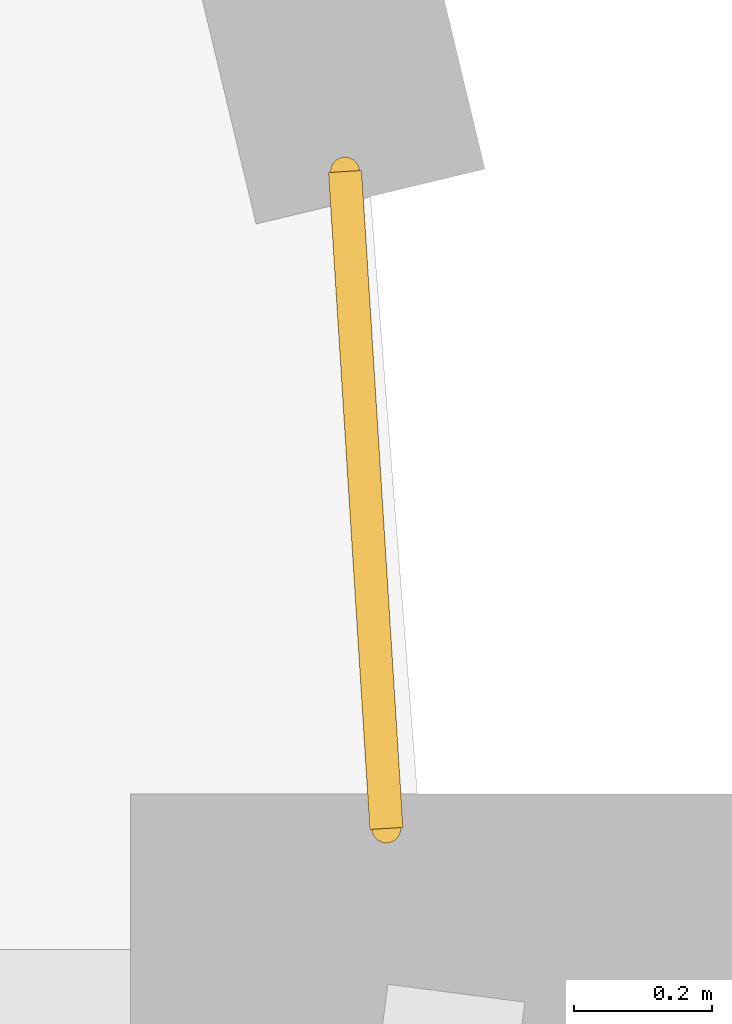
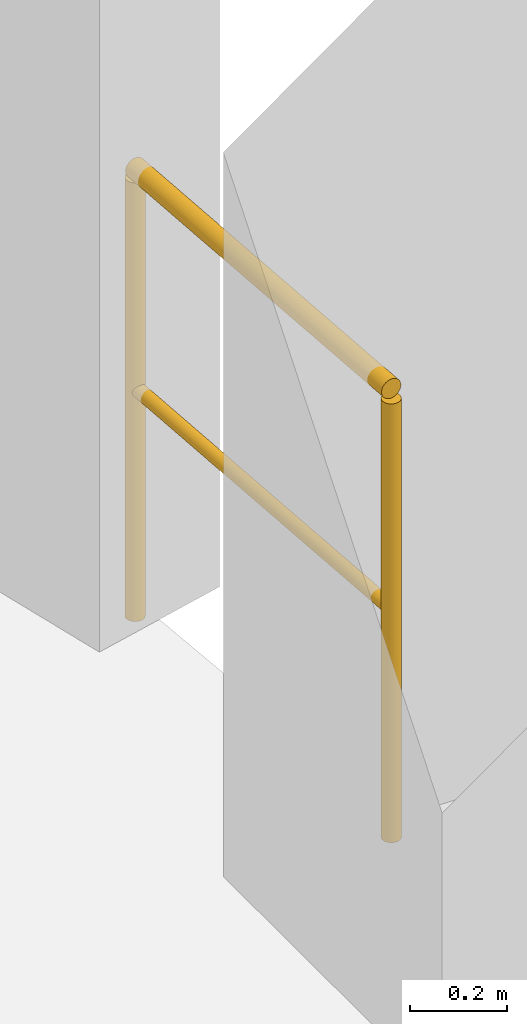
# One storey, part 114 of 114: 1 railing.
"""IFC4 building model written with IfcOpenShell, lengths in metres."""

from ifc_helpers import new_model, si_unit, derived_unit, direction, frame, origin, origin_2d, place, context, subcontext, project, spatial, circle, extrude, material, type_object, element, save


model = new_model("IFC4")

# Units and contexts
model_context = context("Model", 3, precision=1e-05, world=origin(), true_north=direction((0.0, 1.0)))
body_context = subcontext(model_context, "Body", "Model", "MODEL_VIEW")
ifc_project = project(units=[si_unit("LENGTHUNIT", "METRE"), si_unit("AREAUNIT", "SQUARE_METRE"), si_unit("VOLUMEUNIT", "CUBIC_METRE"), si_unit("PLANEANGLEUNIT", "RADIAN"), si_unit("MASSUNIT", "GRAM", prefix="KILO"), derived_unit("THERMALTRANSMITTANCEUNIT", [(si_unit("MASSUNIT", "GRAM", prefix="KILO"), 1), (si_unit("TIMEUNIT", "SECOND"), -3), (si_unit("THERMODYNAMICTEMPERATUREUNIT", "KELVIN"), -1)])], contexts=[model_context])

# Site, building, storey
site_placement = place(None, origin())
site = spatial("IfcSite", under=ifc_project, at=site_placement, CompositionType="ELEMENT")
building_placement = place(site_placement, origin())
building = spatial("IfcBuilding", under=site, at=building_placement, Name="Qinzheling Arcade Emporium", CompositionType="ELEMENT")
storey_placement = place(building_placement, frame((0.0, 0.0, 6.0)))
storey = spatial("IfcBuildingStorey", under=building, at=storey_placement, Name="L02", CompositionType="ELEMENT", Elevation=6.0)

# Railing
ifc_material = material(Name="Architectural bronze rail and laminated safety glass", Category="glass")
railing_type = type_object("IfcRailingType", Name="Curved Terrace Laminated Glass and Bronze Balustrade 1150", PredefinedType="BALUSTRADE", material=ifc_material)
railing_placement = place(storey_placement, frame((173.919921875, 25.60009765625, 0.0)))
element("IfcRailing", 1, at=railing_placement, inside=storey, type_object=railing_type, Name="Terrace Corner Balustrade RLG-TER-L02-CNR-V4", PredefinedType="BALUSTRADE", context=body_context, shape_type="SweptSolid", body=[
    extrude(circle(Radius=0.02392578125, at=origin_2d()), frame((0.0, 0.0, 1.1259765625), z_axis=(-0.062841368378, 0.998023527989, 0.0), x_axis=(-0.998023527989, -0.062841368378, 0.0)), (0.0, 0.0, 1.0), 0.951904296875),
    extrude(circle(Radius=0.01611328125, at=origin_2d()), frame((0.0, 0.0, 0.574951171875), z_axis=(-0.062841368378, 0.998023527989, 0.0), x_axis=(-0.998023527989, -0.062841368378, 0.0)), (0.0, 0.0, 1.0), 0.951904296875),
    extrude(circle(Radius=0.02099609375, at=origin_2d()), origin(), (0.0, 0.0, 1.0), 1.101806640625),
    extrude(circle(Radius=0.02099609375, at=origin_2d()), frame((-0.059814453125, 0.949951171875, 0.0)), (0.0, 0.0, 1.0), 1.101806640625),
])

save(model, "model.ifc")
